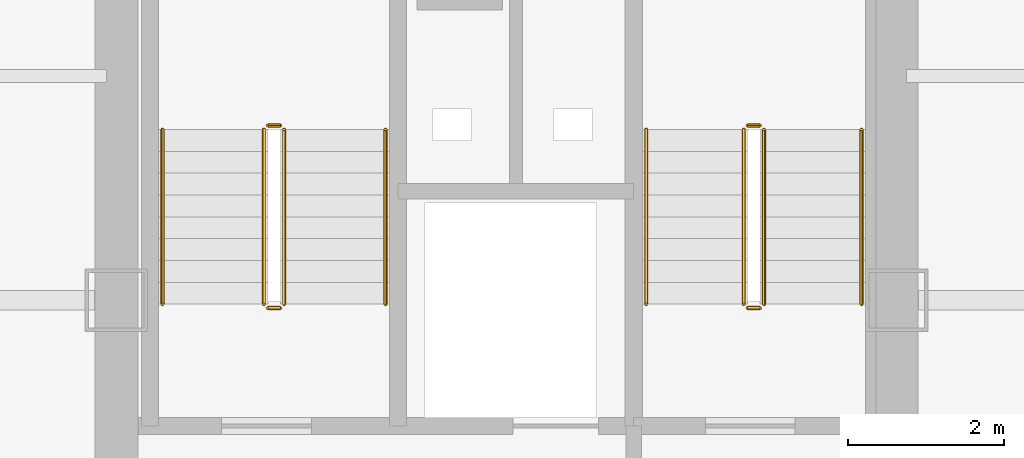
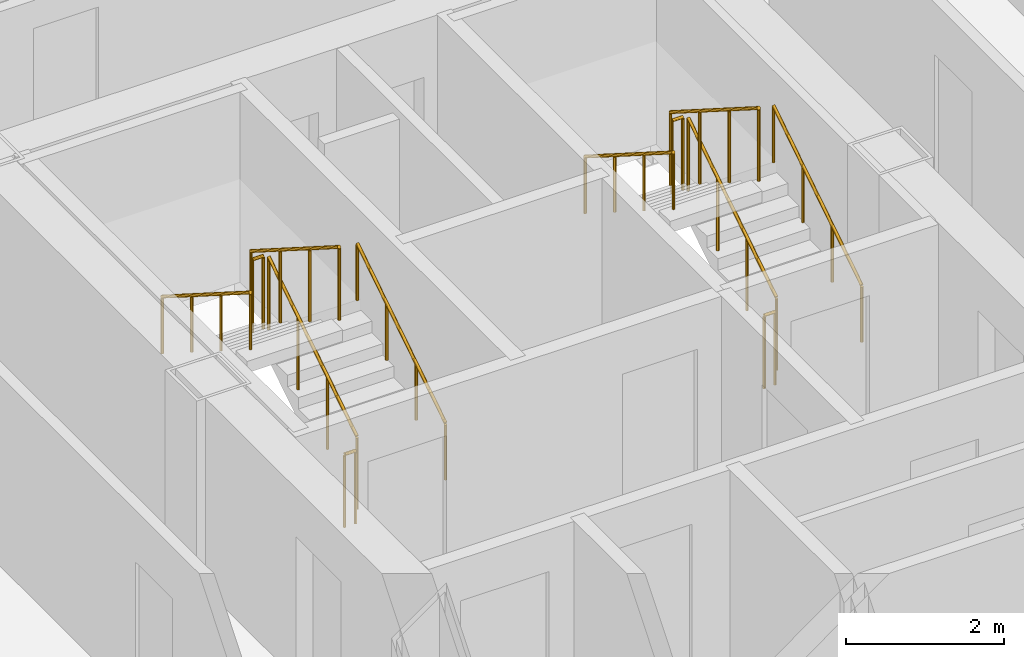
# One storey, part 20 of 21: 12 railings.
"""IFC4 building model written with IfcOpenShell, lengths in metres."""

from ifc_helpers import new_model, si_unit, direction, frame, origin, origin_2d, place, context, subcontext, project, spatial, circle, extrude, material, type_object, element, save


model = new_model("IFC4")

# Units and contexts
model_context = context("Model", 3, precision=1e-05, world=origin(), true_north=direction((0.0, 1.0)))
body_context = subcontext(model_context, "Body", "Model", "MODEL_VIEW")
ifc_project = project(units=[si_unit("LENGTHUNIT", "METRE"), si_unit("AREAUNIT", "SQUARE_METRE"), si_unit("VOLUMEUNIT", "CUBIC_METRE"), si_unit("PLANEANGLEUNIT", "RADIAN"), si_unit("MASSUNIT", "GRAM", prefix="KILO")], contexts=[model_context])

# Site, building, storey
site_placement = place(None, origin())
site = spatial("IfcSite", under=ifc_project, at=site_placement, CompositionType="ELEMENT")
building_placement = place(site_placement, origin())
building = spatial("IfcBuilding", under=site, at=building_placement, Name="Kolveth Station Tower", CompositionType="ELEMENT")
storey_placement = place(building_placement, frame((0.0, 0.0, 99.10009765625)))
storey = spatial("IfcBuildingStorey", under=building, at=storey_placement, Name="L26", CompositionType="ELEMENT", Elevation=99.10009765625)

# Railings
ifc_material_1 = material(Name="Painted Steel S355 balustrade", Category="steel")
railing_type_1 = type_object("IfcRailingType", Name="Guard_GR2", PredefinedType="BALUSTRADE", material=ifc_material_1)
railing_1_placement = place(storey_placement, frame((20.64990234375, 22.949951171875, 0.177734375)))
element("IfcRailing", 1, at=railing_1_placement, inside=storey, type_object=railing_type_1, Name="L26 ST1 stair guard 1", PredefinedType="BALUSTRADE", context=body_context, shape_type="SweptSolid", body=[
    extrude(circle(Radius=0.02392578125, at=origin_2d()), frame((0.0, 0.0, 1.1259765625), z_axis=(0.0, 0.8442293374, 0.53598211339), x_axis=(-1.0, 0.0, 0.0)), (0.0, 0.0, 1.0), 2.6533203125),
    extrude(circle(Radius=0.02099609375, at=origin_2d()), origin(), (0.0, 0.0, 1.0), 1.101806640625),
    extrude(circle(Radius=0.02099609375, at=origin_2d()), frame((0.0, 0.74658203125, 0.47412109375)), (0.0, 0.0, 1.0), 1.101806640625),
    extrude(circle(Radius=0.02099609375, at=origin_2d()), frame((0.0, 1.493408203125, 0.947998046875)), (0.0, 0.0, 1.0), 1.101806640625),
    extrude(circle(Radius=0.02099609375, at=origin_2d()), frame((0.0, 2.239990234375, 1.422119140625)), (0.0, 0.0, 1.0), 1.101806640625),
])
railing_2_placement = place(storey_placement, frame((20.60009765625, 25.239990234375, 1.599853515625)))
element("IfcRailing", 2, at=railing_2_placement, inside=storey, type_object=railing_type_1, Name="L26 ST1 stair guard 2", PredefinedType="BALUSTRADE", context=body_context, shape_type="SweptSolid", body=[
    extrude(circle(Radius=0.02392578125, at=origin_2d()), frame((0.0, 0.0, 1.1259765625), z_axis=(-1.0, 0.0, 0.0), x_axis=(0.0, -1.0, 0.0)), (0.0, 0.0, 1.0), 0.16015625),
    extrude(circle(Radius=0.02099609375, at=origin_2d()), origin(), (0.0, 0.0, 1.0), 1.101806640625),
    extrude(circle(Radius=0.02099609375, at=origin_2d()), frame((-0.16015625, 0.0, 0.0)), (0.0, 0.0, 1.0), 1.101806640625),
])
railing_3_placement = place(storey_placement, frame((20.389892578125, 25.18994140625, 1.777587890625)))
element("IfcRailing", 3, at=railing_3_placement, inside=storey, type_object=railing_type_1, Name="L26 ST1 stair guard 3", PredefinedType="BALUSTRADE", context=body_context, shape_type="SweptSolid", body=[
    extrude(circle(Radius=0.02392578125, at=origin_2d()), frame((0.0, 0.0, 1.1259765625), z_axis=(0.0, -0.84418770128, 0.536047689118), x_axis=(1.0, 0.0, 0.0)), (0.0, 0.0, 1.0), 2.6533203125),
    extrude(circle(Radius=0.02099609375, at=origin_2d()), origin(), (0.0, 0.0, 1.0), 1.101806640625),
    extrude(circle(Radius=0.02099609375, at=origin_2d()), frame((0.0, -0.74658203125, 0.47412109375)), (0.0, 0.0, 1.0), 1.101806640625),
    extrude(circle(Radius=0.02099609375, at=origin_2d()), frame((0.0, -1.493408203125, 0.9482421875)), (0.0, 0.0, 1.0), 1.101806640625),
    extrude(circle(Radius=0.02099609375, at=origin_2d()), frame((0.0, -2.239990234375, 1.42236328125)), (0.0, 0.0, 1.0), 1.101806640625),
])
railing_4_placement = place(storey_placement, frame((20.60009765625, 22.89990234375, 0.0)))
element("IfcRailing", 4, at=railing_4_placement, inside=storey, type_object=railing_type_1, Name="L26 ST1 stair guard 4", PredefinedType="BALUSTRADE", context=body_context, shape_type="SweptSolid", body=[
    extrude(circle(Radius=0.02392578125, at=origin_2d()), frame((0.0, 0.0, 1.1259765625), z_axis=(-1.0, 0.0, 0.0), x_axis=(0.0, -1.0, 0.0)), (0.0, 0.0, 1.0), 0.16015625),
    extrude(circle(Radius=0.02099609375, at=origin_2d()), origin(), (0.0, 0.0, 1.0), 1.101806640625),
    extrude(circle(Radius=0.02099609375, at=origin_2d()), frame((-0.16015625, 0.0, 0.0)), (0.0, 0.0, 1.0), 1.101806640625),
])
railing_5_placement = place(storey_placement, frame((26.800048828125, 22.949951171875, 0.177734375)))
element("IfcRailing", 5, at=railing_5_placement, inside=storey, type_object=railing_type_1, Name="L26 ST2 stair guard 1", PredefinedType="BALUSTRADE", context=body_context, shape_type="SweptSolid", body=[
    extrude(circle(Radius=0.02392578125, at=origin_2d()), frame((0.0, 0.0, 1.1259765625), z_axis=(0.0, 0.8442293374, 0.53598211339), x_axis=(-1.0, 0.0, 0.0)), (0.0, 0.0, 1.0), 2.6533203125),
    extrude(circle(Radius=0.02099609375, at=origin_2d()), origin(), (0.0, 0.0, 1.0), 1.101806640625),
    extrude(circle(Radius=0.02099609375, at=origin_2d()), frame((0.0, 0.74658203125, 0.47412109375)), (0.0, 0.0, 1.0), 1.101806640625),
    extrude(circle(Radius=0.02099609375, at=origin_2d()), frame((0.0, 1.493408203125, 0.947998046875)), (0.0, 0.0, 1.0), 1.101806640625),
    extrude(circle(Radius=0.02099609375, at=origin_2d()), frame((0.0, 2.239990234375, 1.422119140625)), (0.0, 0.0, 1.0), 1.101806640625),
])
railing_6_placement = place(storey_placement, frame((26.75, 25.239990234375, 1.599853515625)))
element("IfcRailing", 6, at=railing_6_placement, inside=storey, type_object=railing_type_1, Name="L26 ST2 stair guard 2", PredefinedType="BALUSTRADE", context=body_context, shape_type="SweptSolid", body=[
    extrude(circle(Radius=0.02392578125, at=origin_2d()), frame((0.0, 0.0, 1.1259765625), z_axis=(-1.0, 0.0, 0.0), x_axis=(0.0, -1.0, 0.0)), (0.0, 0.0, 1.0), 0.159912109375),
    extrude(circle(Radius=0.02099609375, at=origin_2d()), origin(), (0.0, 0.0, 1.0), 1.101806640625),
    extrude(circle(Radius=0.02099609375, at=origin_2d()), frame((-0.159912109375, 0.0, 0.0)), (0.0, 0.0, 1.0), 1.101806640625),
])
railing_7_placement = place(storey_placement, frame((26.5400390625, 25.18994140625, 1.777587890625)))
element("IfcRailing", 7, at=railing_7_placement, inside=storey, type_object=railing_type_1, Name="L26 ST2 stair guard 3", PredefinedType="BALUSTRADE", context=body_context, shape_type="SweptSolid", body=[
    extrude(circle(Radius=0.02392578125, at=origin_2d()), frame((0.0, 0.0, 1.1259765625), z_axis=(0.0, -0.84418770128, 0.536047689118), x_axis=(1.0, 0.0, 0.0)), (0.0, 0.0, 1.0), 2.6533203125),
    extrude(circle(Radius=0.02099609375, at=origin_2d()), origin(), (0.0, 0.0, 1.0), 1.101806640625),
    extrude(circle(Radius=0.02099609375, at=origin_2d()), frame((0.0, -0.74658203125, 0.47412109375)), (0.0, 0.0, 1.0), 1.101806640625),
    extrude(circle(Radius=0.02099609375, at=origin_2d()), frame((0.0, -1.493408203125, 0.9482421875)), (0.0, 0.0, 1.0), 1.101806640625),
    extrude(circle(Radius=0.02099609375, at=origin_2d()), frame((0.0, -2.239990234375, 1.42236328125)), (0.0, 0.0, 1.0), 1.101806640625),
])
railing_8_placement = place(storey_placement, frame((26.75, 22.89990234375, 0.0)))
element("IfcRailing", 8, at=railing_8_placement, inside=storey, type_object=railing_type_1, Name="L26 ST2 stair guard 4", PredefinedType="BALUSTRADE", context=body_context, shape_type="SweptSolid", body=[
    extrude(circle(Radius=0.02392578125, at=origin_2d()), frame((0.0, 0.0, 1.1259765625), z_axis=(-1.0, 0.0, 0.0), x_axis=(0.0, -1.0, 0.0)), (0.0, 0.0, 1.0), 0.159912109375),
    extrude(circle(Radius=0.02099609375, at=origin_2d()), origin(), (0.0, 0.0, 1.0), 1.101806640625),
    extrude(circle(Radius=0.02099609375, at=origin_2d()), frame((-0.159912109375, 0.0, 0.0)), (0.0, 0.0, 1.0), 1.101806640625),
])
ifc_material_2 = material(Name="Brushed stainless steel", Category="steel")
railing_type_2 = type_object("IfcRailingType", Name="Handrail_HR1", PredefinedType="HANDRAIL", material=ifc_material_2)
railing_9_placement = place(storey_placement, frame((21.949951171875, 22.949951171875, 0.177734375)))
element("IfcRailing", 9, at=railing_9_placement, inside=storey, type_object=railing_type_2, Name="L26 ST1 stair handrail 1", PredefinedType="HANDRAIL", context=body_context, shape_type="SweptSolid", body=[
    extrude(circle(Radius=0.02392578125, at=origin_2d()), frame((0.0, 0.0, 0.8759765625), z_axis=(0.0, 0.8442293374, 0.53598211339), x_axis=(-1.0, 0.0, 0.0)), (0.0, 0.0, 1.0), 2.6533203125),
    extrude(circle(Radius=0.02099609375, at=origin_2d()), origin(), (0.0, 0.0, 1.0), 0.851806640625),
    extrude(circle(Radius=0.02099609375, at=origin_2d()), frame((0.0, 0.74658203125, 0.47412109375)), (0.0, 0.0, 1.0), 0.851806640625),
    extrude(circle(Radius=0.02099609375, at=origin_2d()), frame((0.0, 1.493408203125, 0.947998046875)), (0.0, 0.0, 1.0), 0.851806640625),
    extrude(circle(Radius=0.02099609375, at=origin_2d()), frame((0.0, 2.239990234375, 1.422119140625)), (0.0, 0.0, 1.0), 0.851806640625),
])
railing_10_placement = place(storey_placement, frame((19.090087890625, 25.18994140625, 1.777587890625)))
element("IfcRailing", 10, at=railing_10_placement, inside=storey, type_object=railing_type_2, Name="L26 ST1 stair handrail 2", PredefinedType="HANDRAIL", context=body_context, shape_type="SweptSolid", body=[
    extrude(circle(Radius=0.02392578125, at=origin_2d()), frame((0.0, 0.0, 0.8759765625), z_axis=(0.0, -0.84418770128, 0.536047689118), x_axis=(1.0, 0.0, 0.0)), (0.0, 0.0, 1.0), 2.6533203125),
    extrude(circle(Radius=0.02099609375, at=origin_2d()), origin(), (0.0, 0.0, 1.0), 0.851806640625),
    extrude(circle(Radius=0.02099609375, at=origin_2d()), frame((0.0, -0.74658203125, 0.47412109375)), (0.0, 0.0, 1.0), 0.851806640625),
    extrude(circle(Radius=0.02099609375, at=origin_2d()), frame((0.0, -1.493408203125, 0.9482421875)), (0.0, 0.0, 1.0), 0.851806640625),
    extrude(circle(Radius=0.02099609375, at=origin_2d()), frame((0.0, -2.239990234375, 1.42236328125)), (0.0, 0.0, 1.0), 0.851806640625),
])
railing_11_placement = place(storey_placement, frame((28.050048828125, 22.949951171875, 0.177734375)))
element("IfcRailing", 11, at=railing_11_placement, inside=storey, type_object=railing_type_2, Name="L26 ST2 stair handrail 1", PredefinedType="HANDRAIL", context=body_context, shape_type="SweptSolid", body=[
    extrude(circle(Radius=0.02392578125, at=origin_2d()), frame((0.0, 0.0, 0.8759765625), z_axis=(0.0, 0.8442293374, 0.53598211339), x_axis=(-1.0, 0.0, 0.0)), (0.0, 0.0, 1.0), 2.6533203125),
    extrude(circle(Radius=0.02099609375, at=origin_2d()), origin(), (0.0, 0.0, 1.0), 0.851806640625),
    extrude(circle(Radius=0.02099609375, at=origin_2d()), frame((0.0, 0.74658203125, 0.47412109375)), (0.0, 0.0, 1.0), 0.851806640625),
    extrude(circle(Radius=0.02099609375, at=origin_2d()), frame((0.0, 1.493408203125, 0.947998046875)), (0.0, 0.0, 1.0), 0.851806640625),
    extrude(circle(Radius=0.02099609375, at=origin_2d()), frame((0.0, 2.239990234375, 1.422119140625)), (0.0, 0.0, 1.0), 0.851806640625),
])
railing_12_placement = place(storey_placement, frame((25.2900390625, 25.18994140625, 1.777587890625)))
element("IfcRailing", 12, at=railing_12_placement, inside=storey, type_object=railing_type_2, Name="L26 ST2 stair handrail 2", PredefinedType="HANDRAIL", context=body_context, shape_type="SweptSolid", body=[
    extrude(circle(Radius=0.02392578125, at=origin_2d()), frame((0.0, 0.0, 0.8759765625), z_axis=(0.0, -0.84418770128, 0.536047689118), x_axis=(1.0, 0.0, 0.0)), (0.0, 0.0, 1.0), 2.6533203125),
    extrude(circle(Radius=0.02099609375, at=origin_2d()), origin(), (0.0, 0.0, 1.0), 0.851806640625),
    extrude(circle(Radius=0.02099609375, at=origin_2d()), frame((0.0, -0.74658203125, 0.47412109375)), (0.0, 0.0, 1.0), 0.851806640625),
    extrude(circle(Radius=0.02099609375, at=origin_2d()), frame((0.0, -1.493408203125, 0.9482421875)), (0.0, 0.0, 1.0), 0.851806640625),
    extrude(circle(Radius=0.02099609375, at=origin_2d()), frame((0.0, -2.239990234375, 1.42236328125)), (0.0, 0.0, 1.0), 0.851806640625),
])

save(model, "model.ifc")
